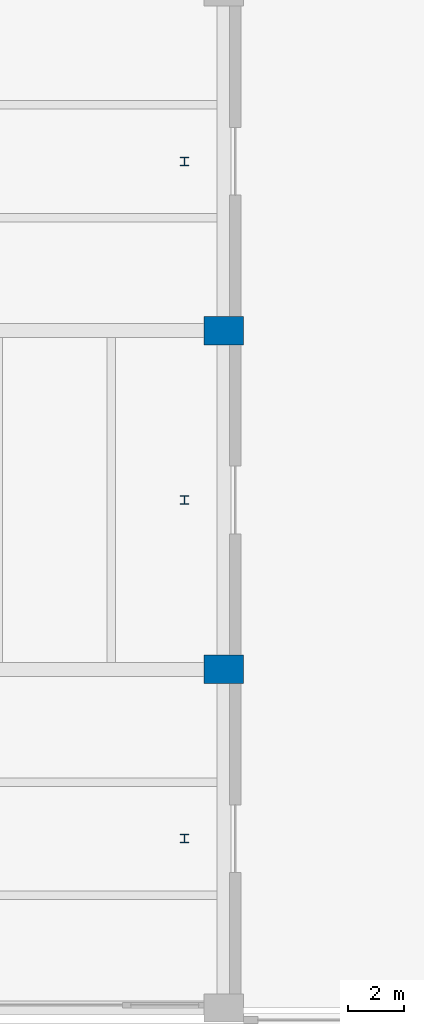
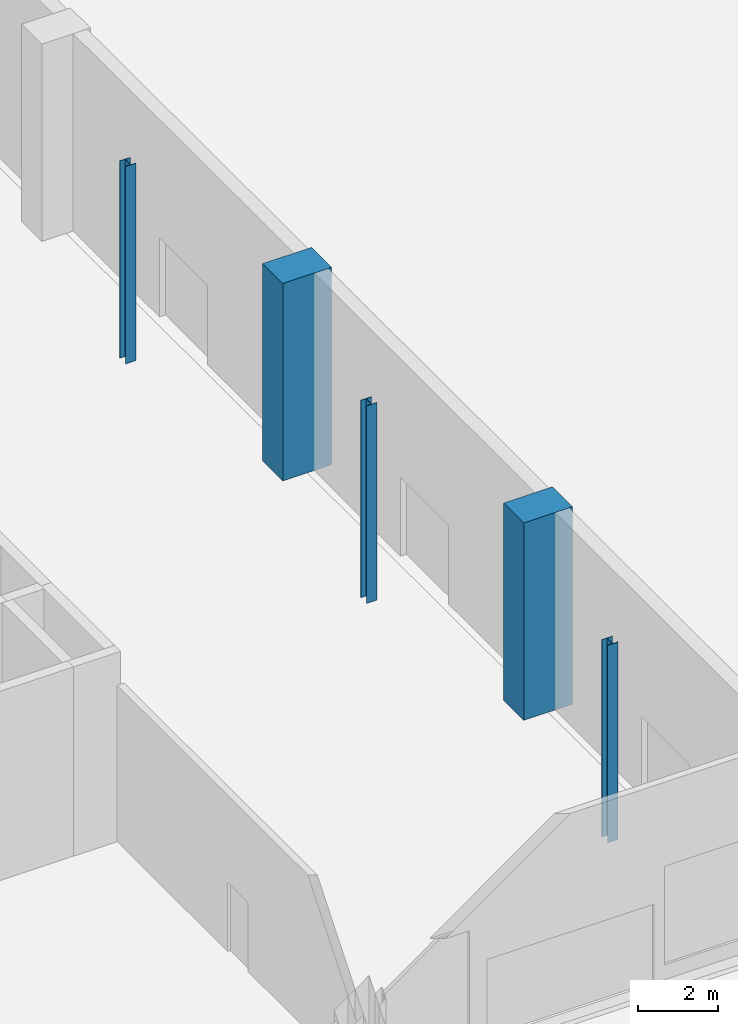
# One storey, part 3 of 59: 5 columns.
"""IFC4 building model written with IfcOpenShell, lengths in metres."""

from ifc_helpers import new_model, si_unit, direction, frame, origin, origin_2d, place, context, subcontext, project, spatial, rectangle, i_section, extrude, material, material_profile, profile_set, type_object, element, save


model = new_model("IFC4")

# Units and contexts
model_context = context("Model", 3, precision=1e-05, world=origin(), true_north=direction((0.0, 1.0)))
body_context = subcontext(model_context, "Body", "Model", "MODEL_VIEW")
ifc_project = project(units=[si_unit("LENGTHUNIT", "METRE"), si_unit("AREAUNIT", "SQUARE_METRE"), si_unit("VOLUMEUNIT", "CUBIC_METRE"), si_unit("PLANEANGLEUNIT", "RADIAN"), si_unit("MASSUNIT", "GRAM", prefix="KILO")], contexts=[model_context])

# Site, building, storey
site_placement = place(None, origin())
site = spatial("IfcSite", under=ifc_project, at=site_placement, CompositionType="ELEMENT")
building_placement = place(site_placement, origin())
building = spatial("IfcBuilding", under=site, at=building_placement, Name="Lilac Gate Convention Centre", CompositionType="ELEMENT")
storey_placement = place(building_placement, origin())
storey = spatial("IfcBuildingStorey", under=building, at=storey_placement, Name="L00", CompositionType="ELEMENT", Elevation=0.0)

# Columns
ifc_material_1 = material(Name="Concrete C40", Category="concrete")
ifc_material_profile_1 = material_profile(ifc_material_1, rectangle(XDim=1.39990234375, YDim=1.0, at=origin_2d()), Name="RC 1400x1000")
ifc_profile_set_1 = profile_set([ifc_material_profile_1], Name="Concrete C40")
column_type_1 = type_object("IfcColumnType", Name="RC hall column 1400x1000 C40", PredefinedType="COLUMN", material=ifc_profile_set_1)
for number, where, z_axis, x_axis, name in (
    (1, (30.0, 42.0, 0.0), (0.0, 0.0, 1.0), (1.0, 0.0, 0.0), "C2 L00 at 3/B"),
    (2, (30.0, 54.0, 0.0), (0.0, 0.0, 1.0), (1.0, 0.0, 0.0), "C2 L00 at 3/C"),
):
    element("IfcColumn", number, at=place(storey_placement, frame(where, z_axis=z_axis, x_axis=x_axis)), inside=storey, type_object=column_type_1, Name=name, PredefinedType="COLUMN", context=body_context, shape_type="SweptSolid", body=[
        extrude(rectangle(XDim=1.39990234375, YDim=1.0, at=origin_2d()), origin(), (0.0, 0.0, 1.0), 6.0),
    ])
ifc_material_2 = material(Name="Steel Q355B", Category="steel")
ifc_material_profile_2 = material_profile(ifc_material_2, i_section(OverallWidth=0.300048828125, OverallDepth=0.300048828125, WebThickness=0.010009765625, FlangeThickness=0.014892578125, FilletRadius=0.012939453125, at=origin_2d()), Name="HW300x300x10x15")
ifc_profile_set_2 = profile_set([ifc_material_profile_2], Name="Steel Q355B")
column_type_2 = type_object("IfcColumnType", Name="Steel column HW300x300x10x15", PredefinedType="COLUMN", material=ifc_profile_set_2)
for number, where, z_axis, x_axis, name in (
    (3, (28.60009765625, 36.0, 0.0), (0.0, 0.0, 1.0), (1.0, 0.0, 0.0), "SC1 L00 atrium column at 36"),
    (4, (28.60009765625, 48.0, 0.0), (0.0, 0.0, 1.0), (1.0, 0.0, 0.0), "SC1 L00 atrium column at 48"),
    (5, (28.60009765625, 60.0, 0.0), (0.0, 0.0, 1.0), (1.0, 0.0, 0.0), "SC1 L00 atrium column at 60"),
):
    element("IfcColumn", number, at=place(storey_placement, frame(where, z_axis=z_axis, x_axis=x_axis)), inside=storey, type_object=column_type_2, Name=name, PredefinedType="COLUMN", context=body_context, shape_type="SweptSolid", body=[
        extrude(i_section(OverallWidth=0.300048828125, OverallDepth=0.300048828125, WebThickness=0.010009765625, FlangeThickness=0.014892578125, FilletRadius=0.012939453125, at=origin_2d()), origin(), (0.0, 0.0, 1.0), 6.0),
    ])

save(model, "model.ifc")
